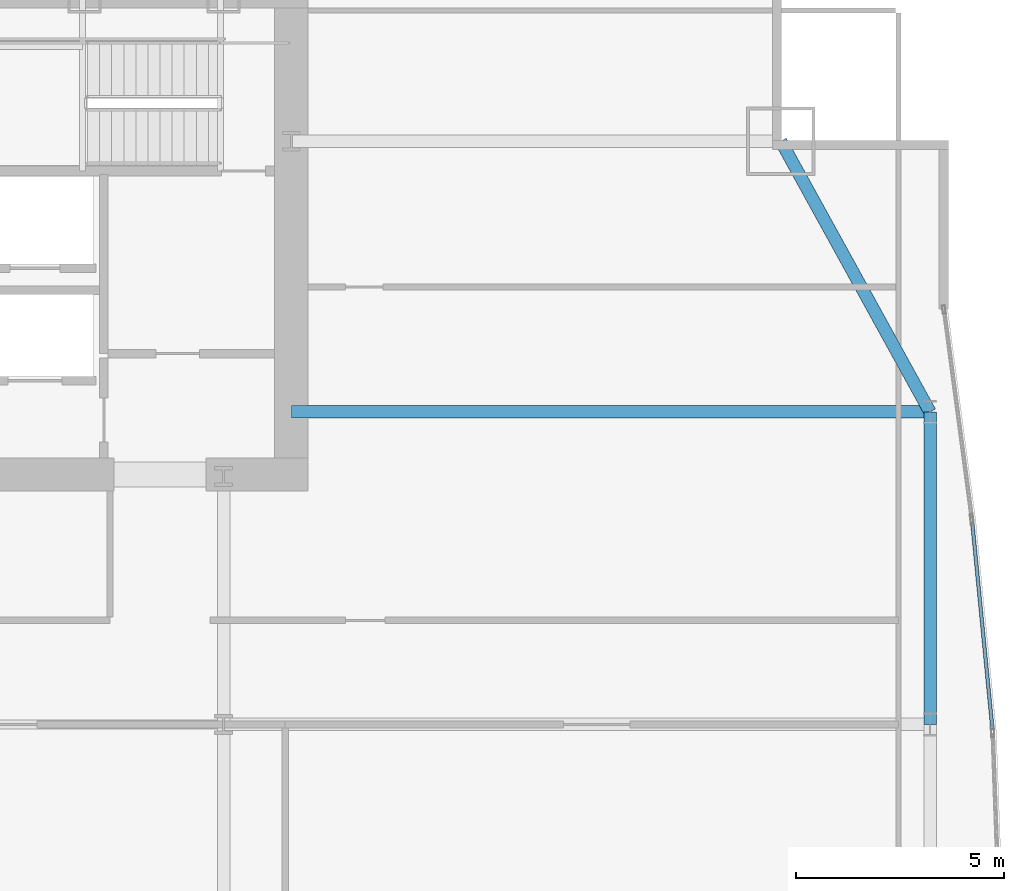
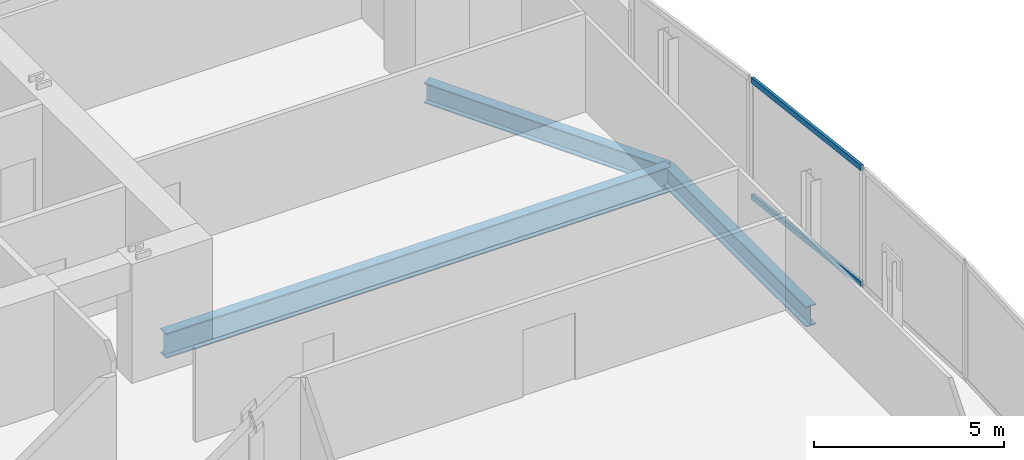
# One storey, part 23 of 35: 3 beams, 2 members, 1 element without a shape of its own.
"""IFC4 building model written with IfcOpenShell, lengths in metres."""

from ifc_helpers import new_model, si_unit, direction, frame, origin, origin_2d, place, context, subcontext, project, spatial, hollow_rectangle, i_section, extrude, material, material_profile, profile_set, type_object, element, aggregate, save


model = new_model("IFC4")

# Units and contexts
model_context = context("Model", 3, precision=1e-05, world=origin(), true_north=direction((0.0, 1.0)))
body_context = subcontext(model_context, "Body", "Model", "MODEL_VIEW")
ifc_project = project(units=[si_unit("LENGTHUNIT", "METRE"), si_unit("AREAUNIT", "SQUARE_METRE"), si_unit("VOLUMEUNIT", "CUBIC_METRE"), si_unit("PLANEANGLEUNIT", "RADIAN"), si_unit("MASSUNIT", "GRAM", prefix="KILO")], contexts=[model_context])

# Site, building, storey
site_placement = place(None, origin())
site = spatial("IfcSite", under=ifc_project, at=site_placement, CompositionType="ELEMENT")
building_placement = place(site_placement, origin())
building = spatial("IfcBuilding", under=site, at=building_placement, Name="Khoronbel Lancet Exchange", CompositionType="ELEMENT")
storey_placement = place(building_placement, frame((0.0, 0.0, 69.800048828125)))
storey = spatial("IfcBuildingStorey", under=building, at=storey_placement, Name="L16", CompositionType="ELEMENT", Elevation=69.800048828125)

# Beams
ifc_material_1 = material(Name="Steel S355", Category="steel")
ifc_material_profile_1 = material_profile(ifc_material_1, i_section(OverallWidth=0.300048828125, OverallDepth=0.800048828125, WebThickness=0.017578125, FlangeThickness=0.032958984375, at=origin_2d()), Name="HEB 800")
ifc_profile_set_1 = profile_set([ifc_material_profile_1], Name="Steel S355")
beam_type_1 = type_object("IfcBeamType", Name="BM-BG2", PredefinedType="BEAM", material=ifc_profile_set_1)
beam_1_placement = place(storey_placement, frame((56.300048828125, 43.199951171875, -0.580078125), z_axis=(1.0, 0.0, 0.0), x_axis=(0.0, 1.0, 0.0)))
element("IfcBeam", 1, at=beam_1_placement, inside=storey, type_object=beam_type_1, Name="Level L16 east lens tie girder LG3E", PredefinedType="BEAM", context=body_context, shape_type="SweptSolid", body=[
    extrude(i_section(OverallWidth=0.300048828125, OverallDepth=0.800048828125, WebThickness=0.017578125, FlangeThickness=0.032958984375, at=origin_2d()), origin(), (0.0, 0.0, 1.0), 15.329833984375),
])
ifc_material_profile_2 = material_profile(ifc_material_1, i_section(OverallWidth=0.300048828125, OverallDepth=0.64990234375, WebThickness=0.01611328125, FlangeThickness=0.031005859375, at=origin_2d()), Name="HEB 650")
ifc_profile_set_2 = profile_set([ifc_material_profile_2], Name="Steel S355")
beam_type_2 = type_object("IfcBeamType", Name="BM-BSP1", PredefinedType="SPANDREL", material=ifc_profile_set_2)
beam_2_placement = place(storey_placement, frame((71.6298828125, 35.699951171875, -0.505126953125), z_axis=(0.0, 1.0, 0.0), x_axis=(-1.0, 0.0, 0.0)))
element("IfcBeam", 2, at=beam_2_placement, inside=storey, type_object=beam_type_2, Name="Level L16 perimeter spandrel beam SP14", PredefinedType="SPANDREL", context=body_context, shape_type="SweptSolid", body=[
    extrude(i_section(OverallWidth=0.300048828125, OverallDepth=0.64990234375, WebThickness=0.01611328125, FlangeThickness=0.031005859375, at=origin_2d()), origin(), (0.0, 0.0, 1.0), 7.5),
])
beam_3_placement = place(storey_placement, frame((71.6298828125, 43.199951171875, -0.505126953125), z_axis=(-0.482418808117, 0.875940690672, 0.0), x_axis=(-0.875940690672, -0.482418808117, 0.0)))
element("IfcBeam", 3, at=beam_3_placement, inside=storey, type_object=beam_type_2, Name="Level L16 perimeter spandrel beam SP15", PredefinedType="SPANDREL", context=body_context, shape_type="SweptSolid", body=[
    extrude(i_section(OverallWidth=0.300048828125, OverallDepth=0.64990234375, WebThickness=0.01611328125, FlangeThickness=0.031005859375, at=origin_2d()), origin(), (0.0, 0.0, 1.0), 7.420654296875),
])

# Curtain wall, members
ifc_material_2 = material(Name="Low-E Solar Control Insulating Glass", Category="glass")
curtain_wall_type = type_object("IfcCurtainWallType", Name="CW-4", PredefinedType="NOTDEFINED", material=ifc_material_2)
curtain_wall_placement = place(storey_placement, origin())
curtain_wall = element("IfcCurtainWall", 4, at=curtain_wall_placement, inside=storey, type_object=curtain_wall_type, Name="Unitised curtain wall CW-L16-E18", PredefinedType="NOTDEFINED")
ifc_material_3 = material(Name="Bronze-Anodised Aluminium 6063-T6", Category="aluminium")
ifc_material_profile_3 = material_profile(ifc_material_3, hollow_rectangle(XDim=0.0849609375, YDim=0.179931640625, WallThickness=0.0048828125, at=origin_2d()), Name="ALU TRANSOM 85x180")
ifc_profile_set_3 = profile_set([ifc_material_profile_3], Name="Bronze-Anodised Aluminium 6063-T6")
member_type = type_object("IfcMemberType", Name="MEM-CWT1", PredefinedType="USERDEFINED", material=ifc_profile_set_3)
member_1_placement = place(storey_placement, frame((72.6455078125, 40.53173828125, 0.04248046875), z_axis=(0.097151171458, -0.995269636774, 0.0), x_axis=(0.995269636774, 0.097151171458, 0.0)))
member_1 = element("IfcMember", 5, at=member_1_placement, type_object=member_type, Name="CW4 transom 1.1", ObjectType="TRANSOM", PredefinedType="USERDEFINED", context=body_context, shape_type="SweptSolid", body=[
    extrude(hollow_rectangle(XDim=0.0849609375, YDim=0.179931640625, WallThickness=0.0048828125, at=origin_2d()), origin(), (0.0, 0.0, 1.0), 4.953125),
])
member_2_placement = place(storey_placement, frame((72.6455078125, 40.53173828125, 3.77734375), z_axis=(0.097151171458, -0.995269636774, 0.0), x_axis=(0.995269636774, 0.097151171458, 0.0)))
member_2 = element("IfcMember", 6, at=member_2_placement, type_object=member_type, Name="CW4 transom 1.2", ObjectType="TRANSOM", PredefinedType="USERDEFINED", context=body_context, shape_type="SweptSolid", body=[
    extrude(hollow_rectangle(XDim=0.0849609375, YDim=0.179931640625, WallThickness=0.0048828125, at=origin_2d()), origin(), (0.0, 0.0, 1.0), 4.953125),
])
aggregate(curtain_wall, [member_1, member_2])

save(model, "model.ifc")
